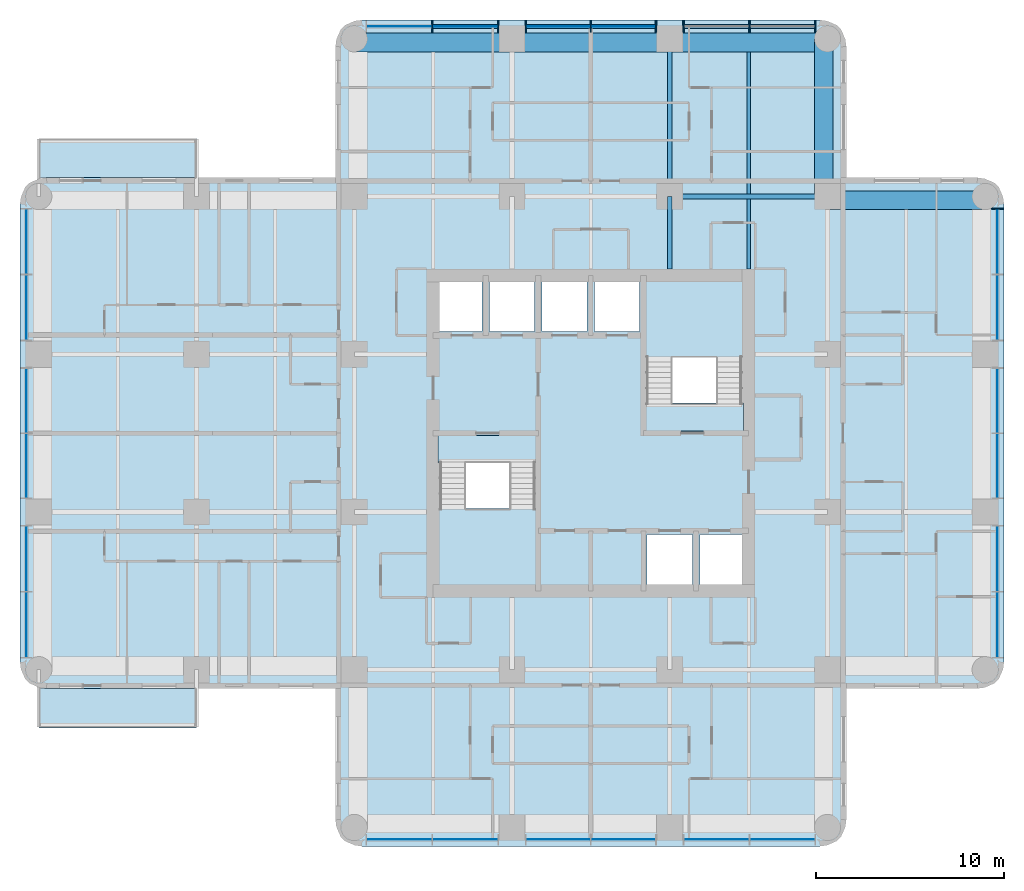
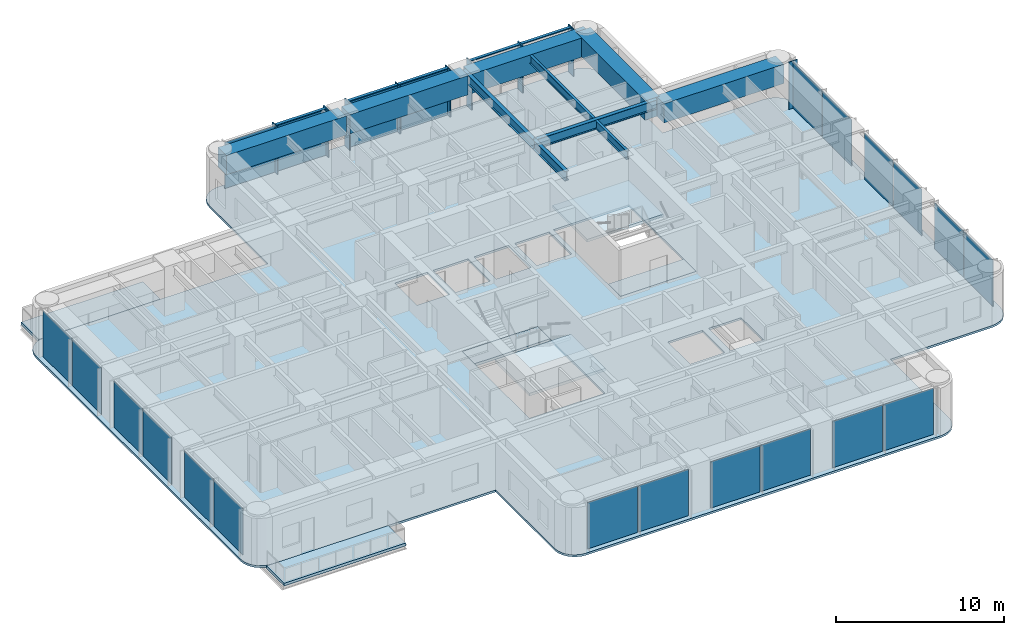
# One storey, part 3 of 11: 22 plates, 14 members, 10 beams, 7 slabs, 6 elements without a shape of their own.
"""IFC4 building model written with IfcOpenShell, lengths in metres."""

from ifc_helpers import new_model, si_unit, direction, frame, origin, origin_2d, place, context, subcontext, project, spatial, polyline, rectangle, i_section, outline, extrude, material, layer, layer_set, material_profile, profile_set, type_object, element, aggregate, save


model = new_model("IFC4")

# Units and contexts
model_context = context("Model", 3, precision=1e-05, world=origin(), true_north=direction((0.0, 1.0)))
body_context = subcontext(model_context, "Body", "Model", "MODEL_VIEW")
ifc_project = project(units=[si_unit("LENGTHUNIT", "METRE"), si_unit("AREAUNIT", "SQUARE_METRE"), si_unit("VOLUMEUNIT", "CUBIC_METRE"), si_unit("PLANEANGLEUNIT", "RADIAN"), si_unit("MASSUNIT", "GRAM", prefix="KILO")], contexts=[model_context])

# Site, building, storey
site_placement = place(None, origin())
site = spatial("IfcSite", under=ifc_project, at=site_placement, CompositionType="ELEMENT")
building_placement = place(site_placement, origin())
building = spatial("IfcBuilding", under=site, at=building_placement, Name="Torre Alcanfor", CompositionType="ELEMENT")
storey_placement = place(building_placement, frame((0.0, 0.0, 212.10009765625)))
storey = spatial("IfcBuildingStorey", under=building, at=storey_placement, Name="L55", CompositionType="ELEMENT", Elevation=212.10009765625)

# Curtain wall, member
ifc_material_1 = material(Name="Aluminium and glass", Category="aluminium")
curtain_wall_type = type_object("IfcCurtainWallType", Name="CW-A unitised apartment glazing with vertical FIN", PredefinedType="NOTDEFINED", material=ifc_material_1)
curtain_wall_1_placement = place(storey_placement, origin())
curtain_wall_1 = element("IfcCurtainWall", 1, at=curtain_wall_1_placement, inside=storey, type_object=curtain_wall_type, Name="Curtain wall CW-A L55 8", PredefinedType="NOTDEFINED")
ifc_material_2 = material(Name="Bronze anodised aluminium", Category="aluminium")
ifc_material_profile_1 = material_profile(ifc_material_2, rectangle(XDim=0.60009765625, YDim=0.06494140625, at=origin_2d()), Name="CW-A mullion 65x600")
ifc_profile_set_1 = profile_set([ifc_material_profile_1], Name="Bronze anodised aluminium")
member_type_1 = type_object("IfcMemberType", Name="CW-A mullion with vertical FIN 65x600", PredefinedType="MULLION", material=ifc_profile_set_1)
member_1_placement = place(storey_placement, frame((51.050048828125, 41.35546875, 0.0), z_axis=(0.0, 0.0, 1.0), x_axis=(-1.0, 0.0, 0.0)))
member_1 = element("IfcMember", 2, at=member_1_placement, type_object=member_type_1, Name="CW-A mullion 3.3", PredefinedType="MULLION", context=body_context, shape_type="SweptSolid", body=[
    extrude(rectangle(XDim=0.60009765625, YDim=0.06494140625, at=origin_2d()), origin(), (0.0, 0.0, 1.0), 3.449951171875),
])

# Curtain wall, members
curtain_wall_2_placement = place(storey_placement, origin())
curtain_wall_2 = element("IfcCurtainWall", 3, at=curtain_wall_2_placement, inside=storey, type_object=curtain_wall_type, Name="Curtain wall CW-A L55 11", PredefinedType="NOTDEFINED")
member_2_placement = place(storey_placement, frame((41.35546875, 51.050048828125, 0.0), z_axis=(0.0, 0.0, 1.0), x_axis=(0.0, -1.0, 0.0)))
member_2 = element("IfcMember", 4, at=member_2_placement, type_object=member_type_1, Name="CW-A mullion 1.1", PredefinedType="MULLION", context=body_context, shape_type="SweptSolid", body=[
    extrude(rectangle(XDim=0.60009765625, YDim=0.06494140625, at=origin_2d()), origin(), (0.0, 0.0, 1.0), 3.449951171875),
])
member_3_placement = place(storey_placement, frame((37.846435546875, 51.050048828125, 0.0), z_axis=(0.0, 0.0, 1.0), x_axis=(0.0, -1.0, 0.0)))
member_3 = element("IfcMember", 5, at=member_3_placement, type_object=member_type_1, Name="CW-A mullion 1.2", PredefinedType="MULLION", context=body_context, shape_type="SweptSolid", body=[
    extrude(rectangle(XDim=0.60009765625, YDim=0.06494140625, at=origin_2d()), origin(), (0.0, 0.0, 1.0), 3.449951171875),
])
member_4_placement = place(storey_placement, frame((34.33740234375, 51.050048828125, 0.0), z_axis=(0.0, 0.0, 1.0), x_axis=(0.0, -1.0, 0.0)))
member_4 = element("IfcMember", 6, at=member_4_placement, type_object=member_type_1, Name="CW-A mullion 1.3", PredefinedType="MULLION", context=body_context, shape_type="SweptSolid", body=[
    extrude(rectangle(XDim=0.60009765625, YDim=0.06494140625, at=origin_2d()), origin(), (0.0, 0.0, 1.0), 3.449951171875),
])
member_5_placement = place(storey_placement, frame((32.862548828125, 51.050048828125, 0.0), z_axis=(0.0, 0.0, 1.0), x_axis=(0.0, -1.0, 0.0)))
member_5 = element("IfcMember", 7, at=member_5_placement, type_object=member_type_1, Name="CW-A mullion 2.1", PredefinedType="MULLION", context=body_context, shape_type="SweptSolid", body=[
    extrude(rectangle(XDim=0.60009765625, YDim=0.06494140625, at=origin_2d()), origin(), (0.0, 0.0, 1.0), 3.449951171875),
])
member_6_placement = place(storey_placement, frame((29.39990234375, 51.050048828125, 0.0), z_axis=(0.0, 0.0, 1.0), x_axis=(0.0, -1.0, 0.0)))
member_6 = element("IfcMember", 8, at=member_6_placement, type_object=member_type_1, Name="CW-A mullion 2.2", PredefinedType="MULLION", context=body_context, shape_type="SweptSolid", body=[
    extrude(rectangle(XDim=0.60009765625, YDim=0.06494140625, at=origin_2d()), origin(), (0.0, 0.0, 1.0), 3.449951171875),
])
member_7_placement = place(storey_placement, frame((25.9375, 51.050048828125, 0.0), z_axis=(0.0, 0.0, 1.0), x_axis=(0.0, -1.0, 0.0)))
member_7 = element("IfcMember", 9, at=member_7_placement, type_object=member_type_1, Name="CW-A mullion 2.3", PredefinedType="MULLION", context=body_context, shape_type="SweptSolid", body=[
    extrude(rectangle(XDim=0.60009765625, YDim=0.06494140625, at=origin_2d()), origin(), (0.0, 0.0, 1.0), 3.449951171875),
])
member_8_placement = place(storey_placement, frame((24.46240234375, 51.050048828125, 0.0), z_axis=(0.0, 0.0, 1.0), x_axis=(0.0, -1.0, 0.0)))
member_8 = element("IfcMember", 10, at=member_8_placement, type_object=member_type_1, Name="CW-A mullion 3.1", PredefinedType="MULLION", context=body_context, shape_type="SweptSolid", body=[
    extrude(rectangle(XDim=0.60009765625, YDim=0.06494140625, at=origin_2d()), origin(), (0.0, 0.0, 1.0), 3.449951171875),
])
member_9_placement = place(storey_placement, frame((20.95361328125, 51.050048828125, 0.0), z_axis=(0.0, 0.0, 1.0), x_axis=(0.0, -1.0, 0.0)))
member_9 = element("IfcMember", 11, at=member_9_placement, type_object=member_type_1, Name="CW-A mullion 3.2", PredefinedType="MULLION", context=body_context, shape_type="SweptSolid", body=[
    extrude(rectangle(XDim=0.60009765625, YDim=0.06494140625, at=origin_2d()), origin(), (0.0, 0.0, 1.0), 3.449951171875),
])
ifc_material_3 = material(Name="Extruded aluminium", Category="aluminium")
ifc_material_profile_2 = material_profile(ifc_material_3, rectangle(XDim=0.199951171875, YDim=0.06494140625, at=origin_2d()), Name="CW-A transom 200x65")
ifc_profile_set_2 = profile_set([ifc_material_profile_2], Name="Extruded aluminium")
member_type_2 = type_object("IfcMemberType", Name="CW-A transom 65x200", PredefinedType="USERDEFINED", material=ifc_profile_set_2)
member_10_placement = place(storey_placement, frame((41.322998046875, 51.050048828125, 3.41748046875), z_axis=(-1.0, 0.0, 0.0), x_axis=(0.0, -1.0, 0.0)))
member_10 = element("IfcMember", 12, at=member_10_placement, type_object=member_type_2, Name="CW-A transom 1.1.2", ObjectType="TRANSOM", PredefinedType="USERDEFINED", context=body_context, shape_type="SweptSolid", body=[
    extrude(rectangle(XDim=0.199951171875, YDim=0.06494140625, at=origin_2d()), origin(), (0.0, 0.0, 1.0), 3.444091796875),
])
member_11_placement = place(storey_placement, frame((37.81396484375, 51.050048828125, 3.41748046875), z_axis=(-1.0, 0.0, 0.0), x_axis=(0.0, -1.0, 0.0)))
member_11 = element("IfcMember", 13, at=member_11_placement, type_object=member_type_2, Name="CW-A transom 1.2.2", ObjectType="TRANSOM", PredefinedType="USERDEFINED", context=body_context, shape_type="SweptSolid", body=[
    extrude(rectangle(XDim=0.199951171875, YDim=0.06494140625, at=origin_2d()), origin(), (0.0, 0.0, 1.0), 3.44384765625),
])
member_12_placement = place(storey_placement, frame((32.830078125, 51.050048828125, 3.41748046875), z_axis=(-1.0, 0.0, 0.0), x_axis=(0.0, -1.0, 0.0)))
member_12 = element("IfcMember", 14, at=member_12_placement, type_object=member_type_2, Name="CW-A transom 2.1.2", ObjectType="TRANSOM", PredefinedType="USERDEFINED", context=body_context, shape_type="SweptSolid", body=[
    extrude(rectangle(XDim=0.199951171875, YDim=0.06494140625, at=origin_2d()), origin(), (0.0, 0.0, 1.0), 3.3974609375),
])
member_13_placement = place(storey_placement, frame((29.367431640625, 51.050048828125, 3.41748046875), z_axis=(-1.0, 0.0, 0.0), x_axis=(0.0, -1.0, 0.0)))
member_13 = element("IfcMember", 15, at=member_13_placement, type_object=member_type_2, Name="CW-A transom 2.2.2", ObjectType="TRANSOM", PredefinedType="USERDEFINED", context=body_context, shape_type="SweptSolid", body=[
    extrude(rectangle(XDim=0.199951171875, YDim=0.06494140625, at=origin_2d()), origin(), (0.0, 0.0, 1.0), 3.3974609375),
])
member_14_placement = place(storey_placement, frame((24.429931640625, 51.050048828125, 3.41748046875), z_axis=(-1.0, 0.0, 0.0), x_axis=(0.0, -1.0, 0.0)))
member_14 = element("IfcMember", 16, at=member_14_placement, type_object=member_type_2, Name="CW-A transom 3.1.2", ObjectType="TRANSOM", PredefinedType="USERDEFINED", context=body_context, shape_type="SweptSolid", body=[
    extrude(rectangle(XDim=0.199951171875, YDim=0.06494140625, at=origin_2d()), origin(), (0.0, 0.0, 1.0), 3.44384765625),
])

# Beams
ifc_material_4 = material(Name="Steel ASTM A992 Grade 50", Category="steel")
ifc_material_profile_3 = material_profile(ifc_material_4, i_section(OverallWidth=0.25390625, OverallDepth=0.683349609375, WebThickness=0.012451171875, FlangeThickness=0.01904296875, at=origin_2d()), Name="W27x94")
ifc_profile_set_3 = profile_set([ifc_material_profile_3], Name="Steel ASTM A992 Grade 50")
beam_type_1 = type_object("IfcBeamType", Name="Girder W27x94", PredefinedType="BEAM", material=ifc_profile_set_3)
for number, where, z_axis, x_axis, name in (
    (17, (33.60009765625, 42.0, 3.108154296875), (1.0, 0.0, 0.0), (0.0, 1.0, 0.0), "Beam 5H-6H under L56"),
    (18, (33.60009765625, 42.0, 3.108154296875), (0.0, 1.0, 0.0), (-1.0, 0.0, 0.0), "Beam 5H-5J under L56"),
):
    element("IfcBeam", number, at=place(storey_placement, frame(where, z_axis=z_axis, x_axis=x_axis)), inside=storey, type_object=beam_type_1, Name=name, PredefinedType="BEAM", context=body_context, shape_type="SweptSolid", body=[
        extrude(i_section(OverallWidth=0.25390625, OverallDepth=0.683349609375, WebThickness=0.012451171875, FlangeThickness=0.01904296875, at=origin_2d()), origin(), (0.0, 0.0, 1.0), 8.39990234375),
    ])
ifc_material_5 = material(Name="Steel ASTM A992 Grade 50", Category="steel")
ifc_material_profile_4 = material_profile(ifc_material_5, i_section(OverallWidth=0.25390625, OverallDepth=0.683349609375, WebThickness=0.012451171875, FlangeThickness=0.01904296875, at=origin_2d()), Name="W27x94")
ifc_profile_set_4 = profile_set([ifc_material_profile_4], Name="Steel ASTM A992 Grade 50")
beam_type_2 = type_object("IfcBeamType", Name="Girder, part bay W27x94", PredefinedType="BEAM", material=ifc_profile_set_4)
beam_1_placement = place(storey_placement, frame((33.60009765625, 42.0, 3.108154296875), z_axis=(0.0, -1.0, 0.0), x_axis=(1.0, 0.0, 0.0)))
element("IfcBeam", 19, at=beam_1_placement, inside=storey, type_object=beam_type_2, Name="Beam 5H-538_15 under L56", PredefinedType="BEAM", context=body_context, shape_type="SweptSolid", body=[
    extrude(i_section(OverallWidth=0.25390625, OverallDepth=0.683349609375, WebThickness=0.012451171875, FlangeThickness=0.01904296875, at=origin_2d()), origin(), (0.0, 0.0, 1.0), 3.85009765625),
])
ifc_material_6 = material(Name="Concrete f'c 70 MPa", Category="concrete")
ifc_material_profile_5 = material_profile(ifc_material_6, rectangle(XDim=1.0, YDim=1.39990234375, at=origin_2d()), Name="1000x1400")
ifc_profile_set_5 = profile_set([ifc_material_profile_5], Name="Concrete f'c 70 MPa")
beam_type_3 = type_object("IfcBeamType", Name="RC perimeter beam 1000x1400", PredefinedType="BEAM", material=ifc_profile_set_5)
for number, where, z_axis, x_axis, name in (
    (20, (42.126953125, 41.800048828125, 2.75), (1.0, 0.0, 0.0), (0.0, 1.0, 0.0), "Beam 6H-7H under L56"),
    (21, (16.800048828125, 50.199951171875, 2.75), (1.0, 0.0, 0.0), (0.0, 1.0, 0.0), "Beam 3J-4J under L56"),
):
    element("IfcBeam", number, at=place(storey_placement, frame(where, z_axis=z_axis, x_axis=x_axis)), inside=storey, type_object=beam_type_3, Name=name, PredefinedType="BEAM", context=body_context, shape_type="SweptSolid", body=[
        extrude(rectangle(XDim=1.0, YDim=1.39990234375, at=origin_2d()), origin(), (0.0, 0.0, 1.0), 8.27294921875),
    ])
beam_2_placement = place(storey_placement, frame((25.326904296875, 50.199951171875, 2.75), z_axis=(1.0, 0.0, 0.0), x_axis=(0.0, 1.0, 0.0)))
element("IfcBeam", 22, at=beam_2_placement, inside=storey, type_object=beam_type_3, Name="Beam 4J-5J under L56", PredefinedType="BEAM", context=body_context, shape_type="SweptSolid", body=[
    extrude(rectangle(XDim=1.0, YDim=1.39990234375, at=origin_2d()), origin(), (0.0, 0.0, 1.0), 8.14599609375),
])
for number, where, z_axis, x_axis, name in (
    (23, (33.72705078125, 50.199951171875, 2.75), (1.0, 0.0, 0.0), (0.0, 1.0, 0.0), "Beam 5J-6J under L56"),
    (24, (41.800048828125, 42.126953125, 2.75), (0.0, 1.0, 0.0), (-1.0, 0.0, 0.0), "Beam 6H-6J under L56"),
):
    element("IfcBeam", number, at=place(storey_placement, frame(where, z_axis=z_axis, x_axis=x_axis)), inside=storey, type_object=beam_type_3, Name=name, PredefinedType="BEAM", context=body_context, shape_type="SweptSolid", body=[
        extrude(rectangle(XDim=1.0, YDim=1.39990234375, at=origin_2d()), origin(), (0.0, 0.0, 1.0), 8.27294921875),
    ])
ifc_material_7 = material(Name="Steel ASTM A992 Grade 50", Category="steel")
ifc_material_profile_6 = material_profile(ifc_material_7, i_section(OverallWidth=0.1787109375, OverallDepth=0.60205078125, WebThickness=0.010986328125, FlangeThickness=0.014892578125, at=origin_2d()), Name="W24x62")
ifc_profile_set_6 = profile_set([ifc_material_profile_6], Name="Steel ASTM A992 Grade 50")
beam_type_4 = type_object("IfcBeamType", Name="Secondary beam W24x62", PredefinedType="BEAM", material=ifc_profile_set_6)
beam_3_placement = place(storey_placement, frame((37.800048828125, 42.126953125, 3.14892578125), z_axis=(0.0, 1.0, 0.0), x_axis=(-1.0, 0.0, 0.0)))
element("IfcBeam", 25, at=beam_3_placement, inside=storey, type_object=beam_type_4, Name="Beam 37_8H-37_8J under L56", PredefinedType="BEAM", context=body_context, shape_type="SweptSolid", body=[
    extrude(i_section(OverallWidth=0.1787109375, OverallDepth=0.60205078125, WebThickness=0.010986328125, FlangeThickness=0.014892578125, at=origin_2d()), origin(), (0.0, 0.0, 1.0), 7.572998046875),
])
ifc_material_8 = material(Name="Steel ASTM A992 Grade 50", Category="steel")
ifc_material_profile_7 = material_profile(ifc_material_8, i_section(OverallWidth=0.1787109375, OverallDepth=0.60205078125, WebThickness=0.010986328125, FlangeThickness=0.014892578125, at=origin_2d()), Name="W24x62")
ifc_profile_set_7 = profile_set([ifc_material_profile_7], Name="Steel ASTM A992 Grade 50")
beam_type_5 = type_object("IfcBeamType", Name="Secondary beam, part bay W24x62", PredefinedType="BEAM", material=ifc_profile_set_7)
beam_4_placement = place(storey_placement, frame((37.800048828125, 38.14990234375, 3.14892578125), z_axis=(0.0, 1.0, 0.0), x_axis=(-1.0, 0.0, 0.0)))
element("IfcBeam", 26, at=beam_4_placement, inside=storey, type_object=beam_type_5, Name="Beam 37_838_15-37_8H under L56", PredefinedType="BEAM", context=body_context, shape_type="SweptSolid", body=[
    extrude(i_section(OverallWidth=0.1787109375, OverallDepth=0.60205078125, WebThickness=0.010986328125, FlangeThickness=0.014892578125, at=origin_2d()), origin(), (0.0, 0.0, 1.0), 3.72314453125),
])

# Slabs
ifc_material_9 = material(Name="Concrete f'c 35 MPa", Category="concrete")
ifc_layer_1 = layer(ifc_material_9, 0.199951171875)
ifc_layer_set_1 = layer_set([ifc_layer_1], Name="Balcony slab 200")
slab_type_1 = type_object("IfcSlabType", Name="Balcony slab 200", PredefinedType="FLOOR", material=ifc_layer_set_1)
slab_1_placement = place(storey_placement, frame((0.0, 0.0, -0.2001953125)))
element("IfcSlab", 27, at=slab_1_placement, inside=storey, type_object=slab_type_1, Name="Balcony L55-W1", PredefinedType="FLOOR", context=body_context, shape_type="SweptSolid", body=[
    extrude(outline(polyline([(8.39990234375, 15.800048828125), (0.0, 15.800048828125), (0.0, 13.699951171875), (8.39990234375, 13.699951171875), (8.39990234375, 15.800048828125)])), origin(), (0.0, 0.0, 1.0), 0.2001953125),
])
slab_2_placement = place(storey_placement, frame((0.0, 0.0, -0.2001953125)))
element("IfcSlab", 28, at=slab_2_placement, inside=storey, type_object=slab_type_1, Name="Balcony L55-W2", PredefinedType="FLOOR", context=body_context, shape_type="SweptSolid", body=[
    extrude(outline(polyline([(8.39990234375, 45.10009765625), (0.0, 45.10009765625), (0.0, 43.0), (8.39990234375, 43.0), (8.39990234375, 45.10009765625)])), origin(), (0.0, 0.0, 1.0), 0.2001953125),
])

# Curtain wall, plates
curtain_wall_3_placement = place(storey_placement, origin())
curtain_wall_3 = element("IfcCurtainWall", 29, at=curtain_wall_3_placement, inside=storey, type_object=curtain_wall_type, Name="Curtain wall CW-A L55 2", PredefinedType="NOTDEFINED")
ifc_material_10 = material(Name="Glass", Category="glass")
ifc_layer_2 = layer(ifc_material_10, 0.028076171875)
ifc_layer_set_2 = layer_set([ifc_layer_2], Name="CW-A clear double glazed unit")
plate_type = type_object("IfcPlateType", Name="CW-A clear double glazed unit", PredefinedType="CURTAIN_PANEL", material=ifc_layer_set_2)
plate_1_placement = place(storey_placement, frame((-0.64990234375, 39.60107421875, 0.0), z_axis=(0.0, 0.0, 1.0), x_axis=(0.0, -1.0, 0.0)))
plate_1 = element("IfcPlate", 30, at=plate_1_placement, type_object=plate_type, Name="CW-A panel 1.1.1", PredefinedType="CURTAIN_PANEL", context=body_context, shape_type="SweptSolid", body=[
    extrude(rectangle(XDim=3.444091796875, YDim=0.028076171875, at=origin_2d()), origin(), (0.0, 0.0, 1.0), 3.385009765625),
])
plate_2_placement = place(storey_placement, frame((-0.64990234375, 36.092041015625, 0.0), z_axis=(0.0, 0.0, 1.0), x_axis=(0.0, -1.0, 0.0)))
plate_2 = element("IfcPlate", 31, at=plate_2_placement, type_object=plate_type, Name="CW-A panel 1.2.1", PredefinedType="CURTAIN_PANEL", context=body_context, shape_type="SweptSolid", body=[
    extrude(rectangle(XDim=3.444091796875, YDim=0.028076171875, at=origin_2d()), origin(), (0.0, 0.0, 1.0), 3.385009765625),
])
plate_3_placement = place(storey_placement, frame((-0.64990234375, 31.13134765625, 0.0), z_axis=(0.0, 0.0, 1.0), x_axis=(0.0, -1.0, 0.0)))
plate_3 = element("IfcPlate", 32, at=plate_3_placement, type_object=plate_type, Name="CW-A panel 2.1.1", PredefinedType="CURTAIN_PANEL", context=body_context, shape_type="SweptSolid", body=[
    extrude(rectangle(XDim=3.3974609375, YDim=0.028076171875, at=origin_2d()), origin(), (0.0, 0.0, 1.0), 3.385009765625),
])
plate_4_placement = place(storey_placement, frame((-0.64990234375, 27.668701171875, 0.0), z_axis=(0.0, 0.0, 1.0), x_axis=(0.0, -1.0, 0.0)))
plate_4 = element("IfcPlate", 33, at=plate_4_placement, type_object=plate_type, Name="CW-A panel 2.2.1", PredefinedType="CURTAIN_PANEL", context=body_context, shape_type="SweptSolid", body=[
    extrude(rectangle(XDim=3.3974609375, YDim=0.028076171875, at=origin_2d()), origin(), (0.0, 0.0, 1.0), 3.385009765625),
])
plate_5_placement = place(storey_placement, frame((-0.64990234375, 22.7080078125, 0.0), z_axis=(0.0, 0.0, 1.0), x_axis=(0.0, -1.0, 0.0)))
plate_5 = element("IfcPlate", 34, at=plate_5_placement, type_object=plate_type, Name="CW-A panel 3.1.1", PredefinedType="CURTAIN_PANEL", context=body_context, shape_type="SweptSolid", body=[
    extrude(rectangle(XDim=3.444091796875, YDim=0.028076171875, at=origin_2d()), origin(), (0.0, 0.0, 1.0), 3.385009765625),
])
plate_6_placement = place(storey_placement, frame((-0.64990234375, 19.198974609375, 0.0), z_axis=(0.0, 0.0, 1.0), x_axis=(0.0, -1.0, 0.0)))
plate_6 = element("IfcPlate", 35, at=plate_6_placement, type_object=plate_type, Name="CW-A panel 3.2.1", PredefinedType="CURTAIN_PANEL", context=body_context, shape_type="SweptSolid", body=[
    extrude(rectangle(XDim=3.444091796875, YDim=0.028076171875, at=origin_2d()), origin(), (0.0, 0.0, 1.0), 3.385009765625),
])
aggregate(curtain_wall_3, [plate_1, plate_2, plate_3, plate_4, plate_5, plate_6])

curtain_wall_4_placement = place(storey_placement, origin())
curtain_wall_4 = element("IfcCurtainWall", 36, at=curtain_wall_4_placement, inside=storey, type_object=curtain_wall_type, Name="Curtain wall CW-A L55 5", PredefinedType="NOTDEFINED")
plate_7_placement = place(storey_placement, frame((19.198974609375, 7.75, 0.0), z_axis=(0.0, 0.0, 1.0), x_axis=(1.0, 0.0, 0.0)))
plate_7 = element("IfcPlate", 37, at=plate_7_placement, type_object=plate_type, Name="CW-A panel 1.1.1", PredefinedType="CURTAIN_PANEL", context=body_context, shape_type="SweptSolid", body=[
    extrude(rectangle(XDim=3.444091796875, YDim=0.028076171875, at=origin_2d()), origin(), (0.0, 0.0, 1.0), 3.385009765625),
])
plate_8_placement = place(storey_placement, frame((22.7080078125, 7.75, 0.0), z_axis=(0.0, 0.0, 1.0), x_axis=(1.0, 0.0, 0.0)))
plate_8 = element("IfcPlate", 38, at=plate_8_placement, type_object=plate_type, Name="CW-A panel 1.2.1", PredefinedType="CURTAIN_PANEL", context=body_context, shape_type="SweptSolid", body=[
    extrude(rectangle(XDim=3.444091796875, YDim=0.028076171875, at=origin_2d()), origin(), (0.0, 0.0, 1.0), 3.385009765625),
])
plate_9_placement = place(storey_placement, frame((27.668701171875, 7.75, 0.0), z_axis=(0.0, 0.0, 1.0), x_axis=(1.0, 0.0, 0.0)))
plate_9 = element("IfcPlate", 39, at=plate_9_placement, type_object=plate_type, Name="CW-A panel 2.1.1", PredefinedType="CURTAIN_PANEL", context=body_context, shape_type="SweptSolid", body=[
    extrude(rectangle(XDim=3.3974609375, YDim=0.028076171875, at=origin_2d()), origin(), (0.0, 0.0, 1.0), 3.385009765625),
])
plate_10_placement = place(storey_placement, frame((31.13134765625, 7.75, 0.0), z_axis=(0.0, 0.0, 1.0), x_axis=(1.0, 0.0, 0.0)))
plate_10 = element("IfcPlate", 40, at=plate_10_placement, type_object=plate_type, Name="CW-A panel 2.2.1", PredefinedType="CURTAIN_PANEL", context=body_context, shape_type="SweptSolid", body=[
    extrude(rectangle(XDim=3.3974609375, YDim=0.028076171875, at=origin_2d()), origin(), (0.0, 0.0, 1.0), 3.385009765625),
])
plate_11_placement = place(storey_placement, frame((36.092041015625, 7.75, 0.0), z_axis=(0.0, 0.0, 1.0), x_axis=(1.0, 0.0, 0.0)))
plate_11 = element("IfcPlate", 41, at=plate_11_placement, type_object=plate_type, Name="CW-A panel 3.1.1", PredefinedType="CURTAIN_PANEL", context=body_context, shape_type="SweptSolid", body=[
    extrude(rectangle(XDim=3.444091796875, YDim=0.028076171875, at=origin_2d()), origin(), (0.0, 0.0, 1.0), 3.385009765625),
])
plate_12_placement = place(storey_placement, frame((39.60107421875, 7.75, 0.0), z_axis=(0.0, 0.0, 1.0), x_axis=(1.0, 0.0, 0.0)))
plate_12 = element("IfcPlate", 42, at=plate_12_placement, type_object=plate_type, Name="CW-A panel 3.2.1", PredefinedType="CURTAIN_PANEL", context=body_context, shape_type="SweptSolid", body=[
    extrude(rectangle(XDim=3.444091796875, YDim=0.028076171875, at=origin_2d()), origin(), (0.0, 0.0, 1.0), 3.385009765625),
])
aggregate(curtain_wall_4, [plate_7, plate_8, plate_9, plate_10, plate_11, plate_12])

# Plate
plate_13_placement = place(storey_placement, frame((51.050048828125, 19.198974609375, 0.0), z_axis=(0.0, 0.0, 1.0), x_axis=(0.0, 1.0, 0.0)))
plate_13 = element("IfcPlate", 43, at=plate_13_placement, type_object=plate_type, Name="CW-A panel 1.1.1", PredefinedType="CURTAIN_PANEL", context=body_context, shape_type="SweptSolid", body=[
    extrude(rectangle(XDim=3.444091796875, YDim=0.028076171875, at=origin_2d()), origin(), (0.0, 0.0, 1.0), 3.385009765625),
])

plate_14_placement = place(storey_placement, frame((51.050048828125, 22.7080078125, 0.0), z_axis=(0.0, 0.0, 1.0), x_axis=(0.0, 1.0, 0.0)))
plate_14 = element("IfcPlate", 44, at=plate_14_placement, type_object=plate_type, Name="CW-A panel 1.2.1", PredefinedType="CURTAIN_PANEL", context=body_context, shape_type="SweptSolid", body=[
    extrude(rectangle(XDim=3.444091796875, YDim=0.028076171875, at=origin_2d()), origin(), (0.0, 0.0, 1.0), 3.385009765625),
])

plate_15_placement = place(storey_placement, frame((51.050048828125, 27.668701171875, 0.0), z_axis=(0.0, 0.0, 1.0), x_axis=(0.0, 1.0, 0.0)))
plate_15 = element("IfcPlate", 45, at=plate_15_placement, type_object=plate_type, Name="CW-A panel 2.1.1", PredefinedType="CURTAIN_PANEL", context=body_context, shape_type="SweptSolid", body=[
    extrude(rectangle(XDim=3.3974609375, YDim=0.028076171875, at=origin_2d()), origin(), (0.0, 0.0, 1.0), 3.385009765625),
])

plate_16_placement = place(storey_placement, frame((51.050048828125, 31.13134765625, 0.0), z_axis=(0.0, 0.0, 1.0), x_axis=(0.0, 1.0, 0.0)))
plate_16 = element("IfcPlate", 46, at=plate_16_placement, type_object=plate_type, Name="CW-A panel 2.2.1", PredefinedType="CURTAIN_PANEL", context=body_context, shape_type="SweptSolid", body=[
    extrude(rectangle(XDim=3.3974609375, YDim=0.028076171875, at=origin_2d()), origin(), (0.0, 0.0, 1.0), 3.385009765625),
])

plate_17_placement = place(storey_placement, frame((51.050048828125, 36.092041015625, 0.0), z_axis=(0.0, 0.0, 1.0), x_axis=(0.0, 1.0, 0.0)))
plate_17 = element("IfcPlate", 47, at=plate_17_placement, type_object=plate_type, Name="CW-A panel 3.1.1", PredefinedType="CURTAIN_PANEL", context=body_context, shape_type="SweptSolid", body=[
    extrude(rectangle(XDim=3.444091796875, YDim=0.028076171875, at=origin_2d()), origin(), (0.0, 0.0, 1.0), 3.385009765625),
])

plate_18_placement = place(storey_placement, frame((51.050048828125, 39.60107421875, 0.0), z_axis=(0.0, 0.0, 1.0), x_axis=(0.0, 1.0, 0.0)))
plate_18 = element("IfcPlate", 48, at=plate_18_placement, type_object=plate_type, Name="CW-A panel 3.2.1", PredefinedType="CURTAIN_PANEL", context=body_context, shape_type="SweptSolid", body=[
    extrude(rectangle(XDim=3.444091796875, YDim=0.028076171875, at=origin_2d()), origin(), (0.0, 0.0, 1.0), 3.385009765625),
])

aggregate(curtain_wall_1, [plate_13, plate_14, plate_15, plate_16, member_1, plate_17, plate_18])

plate_19_placement = place(storey_placement, frame((31.13134765625, 51.050048828125, 0.0), z_axis=(0.0, 0.0, 1.0), x_axis=(-1.0, 0.0, 0.0)))
plate_19 = element("IfcPlate", 49, at=plate_19_placement, type_object=plate_type, Name="CW-A panel 2.1.1", PredefinedType="CURTAIN_PANEL", context=body_context, shape_type="SweptSolid", body=[
    extrude(rectangle(XDim=3.3974609375, YDim=0.028076171875, at=origin_2d()), origin(), (0.0, 0.0, 1.0), 3.385009765625),
])

plate_20_placement = place(storey_placement, frame((27.668701171875, 51.050048828125, 0.0), z_axis=(0.0, 0.0, 1.0), x_axis=(-1.0, 0.0, 0.0)))
plate_20 = element("IfcPlate", 50, at=plate_20_placement, type_object=plate_type, Name="CW-A panel 2.2.1", PredefinedType="CURTAIN_PANEL", context=body_context, shape_type="SweptSolid", body=[
    extrude(rectangle(XDim=3.3974609375, YDim=0.028076171875, at=origin_2d()), origin(), (0.0, 0.0, 1.0), 3.385009765625),
])

plate_21_placement = place(storey_placement, frame((22.7080078125, 51.050048828125, 0.0), z_axis=(0.0, 0.0, 1.0), x_axis=(-1.0, 0.0, 0.0)))
plate_21 = element("IfcPlate", 51, at=plate_21_placement, type_object=plate_type, Name="CW-A panel 3.1.1", PredefinedType="CURTAIN_PANEL", context=body_context, shape_type="SweptSolid", body=[
    extrude(rectangle(XDim=3.444091796875, YDim=0.028076171875, at=origin_2d()), origin(), (0.0, 0.0, 1.0), 3.385009765625),
])

plate_22_placement = place(storey_placement, frame((19.198974609375, 51.050048828125, 0.0), z_axis=(0.0, 0.0, 1.0), x_axis=(-1.0, 0.0, 0.0)))
plate_22 = element("IfcPlate", 52, at=plate_22_placement, type_object=plate_type, Name="CW-A panel 3.2.1", PredefinedType="CURTAIN_PANEL", context=body_context, shape_type="SweptSolid", body=[
    extrude(rectangle(XDim=3.444091796875, YDim=0.028076171875, at=origin_2d()), origin(), (0.0, 0.0, 1.0), 3.385009765625),
])

aggregate(curtain_wall_2, [member_2, member_3, member_4, member_10, member_11, member_5, member_6, member_7, member_12, plate_19, member_13, plate_20, member_8, member_9, member_14, plate_21, plate_22])

# Slab
ifc_material_11 = material(Name="Concrete f'c 35 MPa", Category="concrete")
ifc_layer_3 = layer(ifc_material_11, 0.14990234375)
ifc_layer_set_3 = layer_set([ifc_layer_3], Name="Composite floor 150 on metal deck")
slab_type_2 = type_object("IfcSlabType", Name="Composite floor 150 on metal deck", PredefinedType="FLOOR", material=ifc_layer_set_3)
slab_3_placement = place(storey_placement, frame((0.0, 0.0, -0.150146484375)))
element("IfcSlab", 53, at=slab_3_placement, inside=storey, type_object=slab_type_2, Name="Floor slab L55", PredefinedType="FLOOR", context=body_context, shape_type="SweptSolid", body=[
    extrude(outline(polyline([(15.800048828125, 43.0), (0.39990234375, 43.0), (0.03759765625, 42.952392578125), (-0.300048828125, 42.8125), (-0.58984375, 42.58984375), (-0.8125, 42.300048828125), (-0.952392578125, 41.96240234375), (-1.0, 41.60009765625), (-1.0, 17.199951171875), (-0.952392578125, 16.837646484375), (-0.8125, 16.5), (-0.58984375, 16.210205078125), (-0.300048828125, 15.987548828125), (0.03759765625, 15.84765625), (0.39990234375, 15.800048828125), (15.800048828125, 15.800048828125), (15.800048828125, 8.800048828125), (15.84765625, 8.437744140625), (15.987548828125, 8.10009765625), (16.210205078125, 7.81005859375), (16.5, 7.587646484375), (16.837646484375, 7.44775390625), (17.199951171875, 7.39990234375), (41.60009765625, 7.39990234375), (41.96240234375, 7.44775390625), (42.300048828125, 7.587646484375), (42.58984375, 7.81005859375), (42.8125, 8.10009765625), (42.952392578125, 8.437744140625), (43.0, 8.800048828125), (43.0, 15.800048828125), (50.0, 15.800048828125), (50.3623046875, 15.84765625), (50.699951171875, 15.987548828125), (50.989990234375, 16.210205078125), (51.21240234375, 16.5), (51.352294921875, 16.837646484375), (51.39990234375, 17.199951171875), (51.39990234375, 41.60009765625), (51.352294921875, 41.96240234375), (51.21240234375, 42.300048828125), (50.989990234375, 42.58984375), (50.699951171875, 42.8125), (50.3623046875, 42.952392578125), (50.0, 43.0), (43.0, 43.0), (43.0, 50.0), (42.952392578125, 50.3623046875), (42.8125, 50.699951171875), (42.58984375, 50.989990234375), (42.300048828125, 51.21240234375), (41.96240234375, 51.352294921875), (41.60009765625, 51.39990234375), (17.199951171875, 51.39990234375), (16.837646484375, 51.352294921875), (16.5, 51.21240234375), (16.210205078125, 50.989990234375), (15.987548828125, 50.699951171875), (15.84765625, 50.3623046875), (15.800048828125, 50.0), (15.800048828125, 43.0)]), holes=[polyline([(21.27001953125, 21.27001953125), (26.47998046875, 21.27001953125), (26.47998046875, 29.280029296875), (21.27001953125, 29.280029296875), (21.27001953125, 21.27001953125)]), polyline([(32.320068359375, 29.52001953125), (37.530029296875, 29.52001953125), (37.530029296875, 37.530029296875), (32.320068359375, 37.530029296875), (32.320068359375, 29.52001953125)]), polyline([(32.39990234375, 21.35009765625), (34.800048828125, 21.35009765625), (34.800048828125, 24.0), (32.39990234375, 24.0), (32.39990234375, 21.35009765625)]), polyline([(35.199951171875, 21.35009765625), (37.449951171875, 21.35009765625), (37.449951171875, 24.0), (35.199951171875, 24.0), (35.199951171875, 21.35009765625)]), polyline([(21.35009765625, 34.800048828125), (23.60009765625, 34.800048828125), (23.60009765625, 37.449951171875), (21.35009765625, 37.449951171875), (21.35009765625, 34.800048828125)]), polyline([(24.0, 34.800048828125), (26.39990234375, 34.800048828125), (26.39990234375, 37.449951171875), (24.0, 37.449951171875), (24.0, 34.800048828125)]), polyline([(26.800048828125, 34.800048828125), (29.199951171875, 34.800048828125), (29.199951171875, 37.449951171875), (26.800048828125, 37.449951171875), (26.800048828125, 34.800048828125)]), polyline([(29.60009765625, 34.800048828125), (32.0, 34.800048828125), (32.0, 37.449951171875), (29.60009765625, 37.449951171875), (29.60009765625, 34.800048828125)])]), origin(), (0.0, 0.0, 1.0), 0.150146484375),
])

# Stair, slabs
ifc_material_12 = material(Name="Concrete f'c 35 MPa", Category="concrete")
stair_type_1 = type_object("IfcStairType", Name="Exit stair S1 1400 wide", PredefinedType="HALF_TURN_STAIR", material=ifc_material_12)
stair_1_placement = place(storey_placement, origin())
stair_1 = element("IfcStair", 54, at=stair_1_placement, inside=storey, type_object=stair_type_1, Name="Stair S1 L55 to L56", PredefinedType="HALF_TURN_STAIR")
ifc_material_13 = material(Name="Concrete f'c 35 MPa", Category="concrete")
ifc_layer_4 = layer(ifc_material_13, 0.199951171875)
ifc_layer_set_4 = layer_set([ifc_layer_4], Name="Stair landing 200")
slab_type_3 = type_object("IfcSlabType", Name="Stair landing 200", PredefinedType="LANDING", material=ifc_layer_set_4)
slab_4_placement = place(storey_placement, frame((0.0, 0.0, -0.2001953125)))
slab_4 = element("IfcSlab", 55, at=slab_4_placement, type_object=slab_type_3, Name="S1 landing 1", PredefinedType="LANDING", context=body_context, shape_type="SweptSolid", body=[
    extrude(outline(polyline([(21.27001953125, 27.800048828125), (26.47998046875, 27.800048828125), (26.47998046875, 29.280029296875), (21.27001953125, 29.280029296875), (21.27001953125, 27.800048828125)])), origin(), (0.0, 0.0, 1.0), 0.2001953125),
])
slab_5_placement = place(storey_placement, frame((0.0, 0.0, 1.599853515625)))
slab_5 = element("IfcSlab", 56, at=slab_5_placement, type_object=slab_type_3, Name="S1 landing 2", PredefinedType="LANDING", context=body_context, shape_type="SweptSolid", body=[
    extrude(outline(polyline([(21.27001953125, 21.27001953125), (26.530029296875, 21.27001953125), (26.530029296875, 25.3798828125), (21.27001953125, 25.3798828125), (21.27001953125, 21.27001953125)])), origin(), (0.0, 0.0, 1.0), 0.199951171875),
])
aggregate(stair_1, [slab_4, slab_5])

ifc_material_14 = material(Name="Concrete f'c 35 MPa", Category="concrete")
stair_type_2 = type_object("IfcStairType", Name="Exit stair S2 1400 wide", PredefinedType="HALF_TURN_STAIR", material=ifc_material_14)
stair_2_placement = place(storey_placement, origin())
stair_2 = element("IfcStair", 57, at=stair_2_placement, inside=storey, type_object=stair_type_2, Name="Stair S2 L55 to L56", PredefinedType="HALF_TURN_STAIR")
slab_6_placement = place(storey_placement, frame((0.0, 0.0, -0.2001953125)))
slab_6 = element("IfcSlab", 58, at=slab_6_placement, type_object=slab_type_3, Name="S2 landing 1", PredefinedType="LANDING", context=body_context, shape_type="SweptSolid", body=[
    extrude(outline(polyline([(32.320068359375, 29.52001953125), (37.530029296875, 29.52001953125), (37.530029296875, 31.0), (32.320068359375, 31.0), (32.320068359375, 29.52001953125)])), origin(), (0.0, 0.0, 1.0), 0.2001953125),
])
slab_7_placement = place(storey_placement, frame((0.0, 0.0, 1.599853515625)))
slab_7 = element("IfcSlab", 59, at=slab_7_placement, type_object=slab_type_3, Name="S2 landing 2", PredefinedType="LANDING", context=body_context, shape_type="SweptSolid", body=[
    extrude(outline(polyline([(32.27001953125, 33.419921875), (37.530029296875, 33.419921875), (37.530029296875, 37.530029296875), (32.27001953125, 37.530029296875), (32.27001953125, 33.419921875)])), origin(), (0.0, 0.0, 1.0), 0.199951171875),
])
aggregate(stair_2, [slab_6, slab_7])

save(model, "model.ifc")
